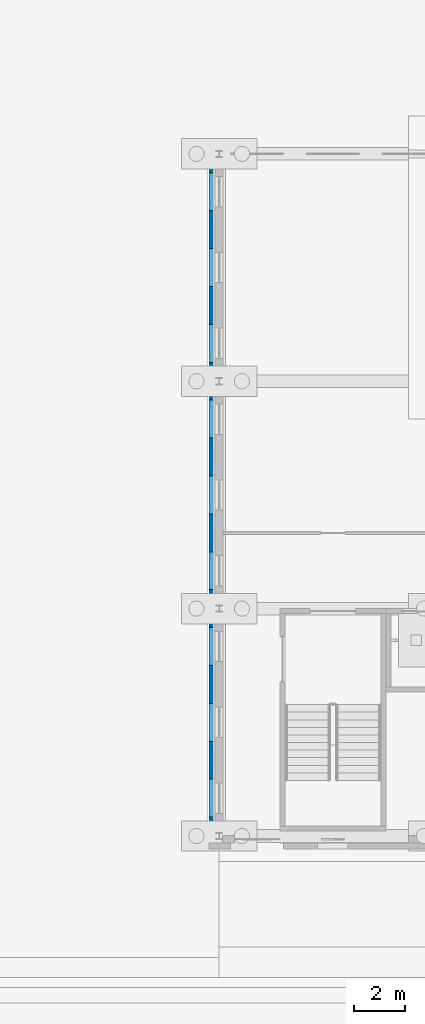
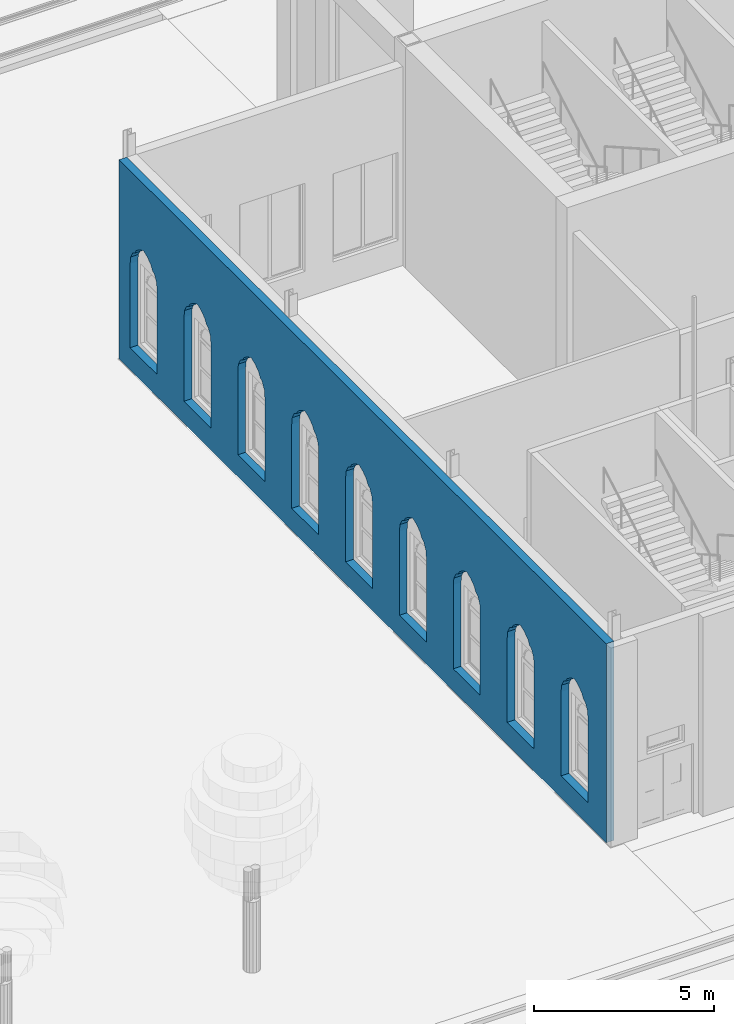
# One storey, part 88 of 250: 1 wall.
"""IFC4 building model written with IfcOpenShell, lengths in metres."""

from ifc_helpers import new_model, si_unit, direction, frame, origin, place, context, subcontext, project, spatial, polyline, outline, extrude, material, layer, layer_set, type_object, element, save


model = new_model("IFC4")

# Units and contexts
model_context = context("Model", 3, precision=1e-05, world=origin(), true_north=direction((0.0, 1.0)))
body_context = subcontext(model_context, "Body", "Model", "MODEL_VIEW")
ifc_project = project(units=[si_unit("LENGTHUNIT", "METRE"), si_unit("AREAUNIT", "SQUARE_METRE"), si_unit("VOLUMEUNIT", "CUBIC_METRE"), si_unit("PLANEANGLEUNIT", "RADIAN"), si_unit("MASSUNIT", "GRAM", prefix="KILO")], contexts=[model_context])

# Site, building, storey
site_placement = place(None, origin())
site = spatial("IfcSite", under=ifc_project, at=site_placement, CompositionType="ELEMENT")
building_placement = place(site_placement, origin())
building = spatial("IfcBuilding", under=site, at=building_placement, Name="Baradari Gate Terminus", CompositionType="ELEMENT")
storey_placement = place(building_placement, origin())
storey = spatial("IfcBuildingStorey", under=building, at=storey_placement, Name="L00", CompositionType="ELEMENT", Elevation=0.0)

# Wall
ifc_material = material(Name="Laterite masonry", Category="masonry")
ifc_layer = layer(ifc_material, 0.25)
ifc_layer_set = layer_set([ifc_layer], Name="Laterite masonry")
wall_type = type_object("IfcWallType", Name="Laterite masonry wall WP-1 250", PredefinedType="SOLIDWALL", material=ifc_layer_set)
wall_placement = place(storey_placement, frame((62.715087890625, 8.72998046875, 0.0), z_axis=(0.0, 0.0, 1.0), x_axis=(0.0, 1.0, 0.0)))
element("IfcWall", 1, at=wall_placement, inside=storey, type_object=wall_type, Name="Front course SW 1a 1", PredefinedType="SOLIDWALL", context=body_context, shape_type="SweptSolid", body=[
    extrude(outline(polyline([(0.0, 0.0), (27.139892578125, 0.0), (27.139892578125, 6.767333984375), (0.0, 6.767333984375), (0.0, 0.0)]), holes=[polyline([(1.169921875, 4.068115234375), (1.27490234375, 4.1220703125), (1.364990234375, 4.26611328125), (1.559814453125, 4.409912109375), (1.77001953125, 4.5), (1.97998046875, 4.409912109375), (2.1748046875, 4.26611328125), (2.264892578125, 4.1220703125), (2.369873046875, 4.068115234375), (2.489990234375, 3.85205078125), (2.52001953125, 3.60009765625), (2.52001953125, 0.75), (1.02001953125, 0.75), (1.02001953125, 3.60009765625), (1.0498046875, 3.85205078125), (1.169921875, 4.068115234375)]), polyline([(4.169921875, 4.068115234375), (4.27490234375, 4.1220703125), (4.364990234375, 4.26611328125), (4.559814453125, 4.409912109375), (4.77001953125, 4.5), (4.97998046875, 4.409912109375), (5.1748046875, 4.26611328125), (5.264892578125, 4.1220703125), (5.369873046875, 4.068115234375), (5.489990234375, 3.85205078125), (5.52001953125, 3.60009765625), (5.52001953125, 0.75), (4.02001953125, 0.75), (4.02001953125, 3.60009765625), (4.0498046875, 3.85205078125), (4.169921875, 4.068115234375)]), polyline([(7.169921875, 4.068115234375), (7.27490234375, 4.1220703125), (7.364990234375, 4.26611328125), (7.559814453125, 4.409912109375), (7.77001953125, 4.5), (7.97998046875, 4.409912109375), (8.1748046875, 4.26611328125), (8.264892578125, 4.1220703125), (8.369873046875, 4.068115234375), (8.489990234375, 3.85205078125), (8.52001953125, 3.60009765625), (8.52001953125, 0.75), (7.02001953125, 0.75), (7.02001953125, 3.60009765625), (7.0498046875, 3.85205078125), (7.169921875, 4.068115234375)]), polyline([(10.169921875, 4.068115234375), (10.27490234375, 4.1220703125), (10.364990234375, 4.26611328125), (10.56005859375, 4.409912109375), (10.77001953125, 4.5), (10.97998046875, 4.409912109375), (11.175048828125, 4.26611328125), (11.264892578125, 4.1220703125), (11.3701171875, 4.068115234375), (11.489990234375, 3.85205078125), (11.52001953125, 3.60009765625), (11.52001953125, 0.75), (10.02001953125, 0.75), (10.02001953125, 3.60009765625), (10.050048828125, 3.85205078125), (10.169921875, 4.068115234375)]), polyline([(13.169921875, 4.068115234375), (13.27490234375, 4.1220703125), (13.364990234375, 4.26611328125), (13.559814453125, 4.409912109375), (13.77001953125, 4.5), (13.97998046875, 4.409912109375), (14.1748046875, 4.26611328125), (14.264892578125, 4.1220703125), (14.369873046875, 4.068115234375), (14.489990234375, 3.85205078125), (14.52001953125, 3.60009765625), (14.52001953125, 0.75), (13.02001953125, 0.75), (13.02001953125, 3.60009765625), (13.0498046875, 3.85205078125), (13.169921875, 4.068115234375)]), polyline([(16.169921875, 4.068115234375), (16.27490234375, 4.1220703125), (16.364990234375, 4.26611328125), (16.56005859375, 4.409912109375), (16.77001953125, 4.5), (16.97998046875, 4.409912109375), (17.175048828125, 4.26611328125), (17.264892578125, 4.1220703125), (17.3701171875, 4.068115234375), (17.489990234375, 3.85205078125), (17.52001953125, 3.60009765625), (17.52001953125, 0.75), (16.02001953125, 0.75), (16.02001953125, 3.60009765625), (16.050048828125, 3.85205078125), (16.169921875, 4.068115234375)]), polyline([(19.169921875, 4.068115234375), (19.27490234375, 4.1220703125), (19.364990234375, 4.26611328125), (19.56005859375, 4.409912109375), (19.77001953125, 4.5), (19.97998046875, 4.409912109375), (20.175048828125, 4.26611328125), (20.264892578125, 4.1220703125), (20.3701171875, 4.068115234375), (20.489990234375, 3.85205078125), (20.52001953125, 3.60009765625), (20.52001953125, 0.75), (19.02001953125, 0.75), (19.02001953125, 3.60009765625), (19.050048828125, 3.85205078125), (19.169921875, 4.068115234375)]), polyline([(22.27490234375, 4.1220703125), (22.364990234375, 4.26611328125), (22.56005859375, 4.409912109375), (22.77001953125, 4.5), (22.97998046875, 4.409912109375), (23.175048828125, 4.26611328125), (23.264892578125, 4.1220703125), (23.3701171875, 4.068115234375), (23.489990234375, 3.85205078125), (23.52001953125, 3.60009765625), (23.52001953125, 0.75), (22.02001953125, 0.75), (22.02001953125, 3.60009765625), (22.050048828125, 3.85205078125), (22.169921875, 4.068115234375), (22.27490234375, 4.1220703125)]), polyline([(25.27490234375, 4.1220703125), (25.364990234375, 4.26611328125), (25.56005859375, 4.409912109375), (25.77001953125, 4.5), (25.97998046875, 4.409912109375), (26.175048828125, 4.26611328125), (26.264892578125, 4.1220703125), (26.3701171875, 4.068115234375), (26.489990234375, 3.85205078125), (26.52001953125, 3.60009765625), (26.52001953125, 0.75), (25.02001953125, 0.75), (25.02001953125, 3.60009765625), (25.050048828125, 3.85205078125), (25.169921875, 4.068115234375), (25.27490234375, 4.1220703125)])]), frame((0.0, 0.125, 0.0), z_axis=(0.0, -1.0, 0.0), x_axis=(1.0, 0.0, 0.0)), (0.0, 0.0, 1.0), 0.25),
])

save(model, "model.ifc")
